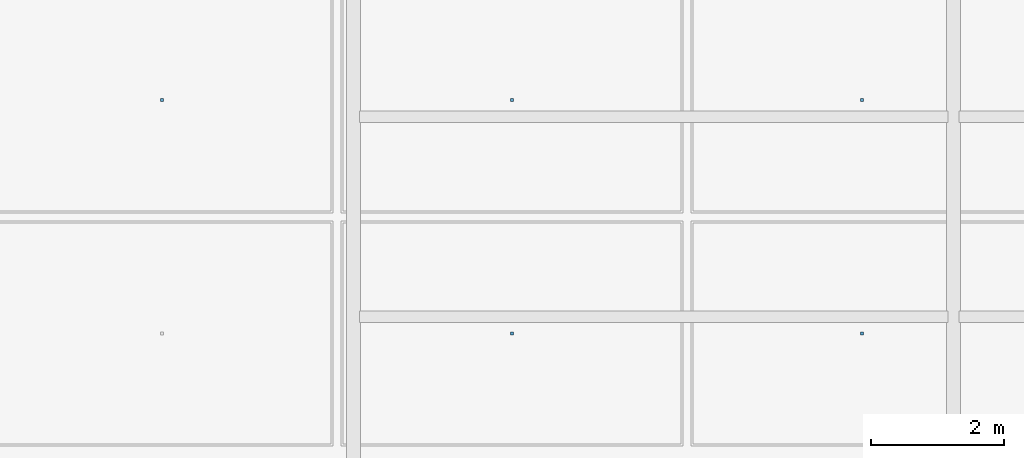
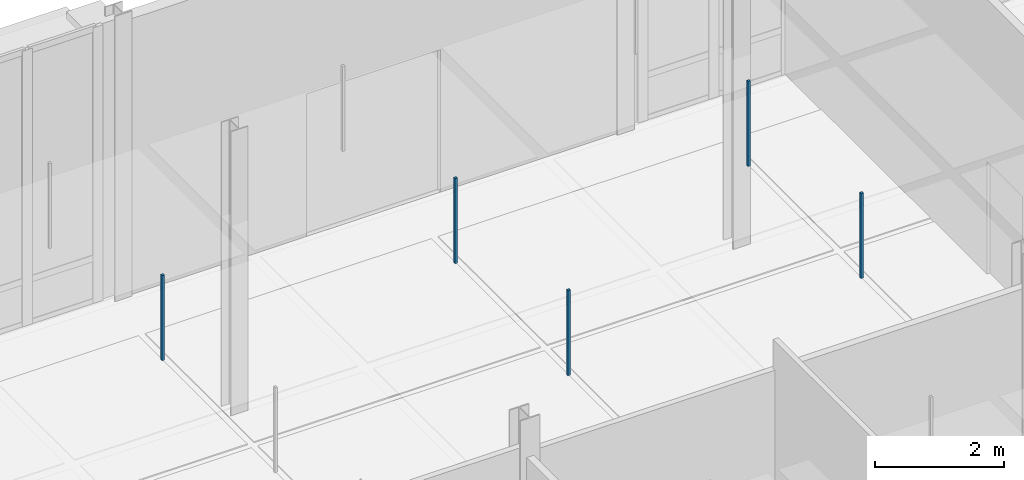
# One storey, part 139 of 180: 5 discrete accessories.
"""IFC4 building model written with IfcOpenShell, lengths in metres."""

import ifcopenshell
import ifcopenshell.guid

model = None  # the IFC model being written
_history = None  # IfcOwnerHistory: only IFC2X3 demands one
_inside = {}  # id of a spatial element -> (the spatial element, [elements in it])
_under = {}  # id of a project, library or spatial element -> (it, [spatial elements below it])
_declared = {}  # id of a project -> (the project, [libraries it declares])
_typed = {}  # id of a type object -> (the type object, [elements of that type])
_made_of = {}  # id of a material, layer set ... -> (it, [elements and type objects made of it])


def new_model(schema):
    """Start an empty IFC model of exactly this schema.

    Asked for "IFC4X3", IfcOpenShell would pick the latest addendum, in which some entities
    have other attributes; the version numbers below select the first issue.
    IFC2X3 requires an IfcOwnerHistory on every rooted entity: one is made here for all.
    """
    global model, _history
    if schema == "IFC4X3":
        model = ifcopenshell.file(schema_version=(4, 3, 0, 0))
    else:
        model = ifcopenshell.file(schema=schema)
    _inside.clear()
    _under.clear()
    _declared.clear()
    _typed.clear()
    _made_of.clear()
    _history = None
    if model.schema == "IFC2X3":
        org = make("IfcOrganization", Name="unknown")
        user = make(
            "IfcPersonAndOrganization",
            ThePerson=make("IfcPerson", FamilyName="unknown"),
            TheOrganization=org,
        )
        app = make(
            "IfcApplication",
            ApplicationDeveloper=org,
            Version="unknown",
            ApplicationFullName="unknown",
            ApplicationIdentifier="unknown",
        )
        _history = make(
            "IfcOwnerHistory",
            OwningUser=user,
            OwningApplication=app,
            ChangeAction="ADDED",
            CreationDate=0,
        )
    return model


def make(cls, **values):
    """One entity of the class cls with the attributes given. An attribute that is None is left unset."""
    return model.create_entity(
        cls, **{name: value for name, value in values.items() if value is not None}
    )


def rooted(cls, **values):
    """An entity with a GlobalId (a new one), such as an element, a storey or a relation."""
    return make(cls, GlobalId=ifcopenshell.guid.new(), OwnerHistory=_history, **values)


def si_unit(unit_type, name, prefix=None):
    """IfcSIUnit, for example si_unit("LENGTHUNIT", "METRE", prefix="MILLI")."""
    return make("IfcSIUnit", UnitType=unit_type, Prefix=prefix, Name=name)


def assignment(units):
    """IfcUnitAssignment: the units of a project."""
    return None if units is None else make("IfcUnitAssignment", Units=units)


def point(xyz):
    """IfcCartesianPoint."""
    return None if xyz is None else make("IfcCartesianPoint", Coordinates=xyz)


def direction(xyz):
    """IfcDirection."""
    return None if xyz is None else make("IfcDirection", DirectionRatios=xyz)


def frame(location, z_axis=None, x_axis=None):
    """IfcAxis2Placement3D, a coordinate frame: its origin and axes. An axis left out is left unset."""
    return make(
        "IfcAxis2Placement3D",
        Location=point(location),
        Axis=direction(z_axis),
        RefDirection=direction(x_axis),
    )


def frame_2d(location, x_axis=None):
    """IfcAxis2Placement2D, a coordinate frame in the plane: its origin and x axis."""
    return make(
        "IfcAxis2Placement2D", Location=point(location), RefDirection=direction(x_axis)
    )


def origin():
    """The frame at (0, 0, 0) with its axes left unset."""
    return frame((0.0, 0.0, 0.0))


def origin_2d():
    """The frame at (0, 0) in the plane with its x axis left unset."""
    return frame_2d((0.0, 0.0))


def place(relative_to, where):
    """IfcLocalPlacement: puts the frame where relative to a parent placement (None: the world)."""
    return make(
        "IfcLocalPlacement", PlacementRelTo=relative_to, RelativePlacement=where
    )


def context(
    kind, dimensions, precision=None, world=None, true_north=None, identifier=None
):
    """IfcGeometricRepresentationContext, for example the 3D "Model" context."""
    return make(
        "IfcGeometricRepresentationContext",
        ContextIdentifier=identifier,
        ContextType=kind,
        CoordinateSpaceDimension=dimensions,
        Precision=precision,
        WorldCoordinateSystem=world,
        TrueNorth=true_north,
    )


def subcontext(parent, identifier, kind, view, scale=None):
    """IfcGeometricRepresentationSubContext, for example "Body" below "Model"."""
    return make(
        "IfcGeometricRepresentationSubContext",
        ContextIdentifier=identifier,
        ContextType=kind,
        ParentContext=parent,
        TargetScale=scale,
        TargetView=view,
    )


def project(units=None, contexts=None):
    """IfcProject with its units and contexts."""
    return rooted(
        "IfcProject",
        Name="project",
        RepresentationContexts=contexts,
        UnitsInContext=assignment(units),
    )


def spatial(cls, under=None, at=None, **own):
    """A site, building, storey or space (cls), placed at a placement, below another one or the project."""
    s = rooted(cls, ObjectPlacement=at, **own)
    if under is not None:
        _under.setdefault(under.id(), (under, []))[1].append(s)
    return s


def profile(cls, at=None, kind="AREA", **sizes):
    """A parametric profile (cls). Its sizes go by their IFC names, for example OverallWidth=200.0."""
    return make(cls, ProfileType=kind, Position=at, **sizes)


def rectangle(**sizes):
    """IfcRectangleProfileDef."""
    return profile("IfcRectangleProfileDef", **sizes)


def extrude(swept, where, along, depth):
    """IfcExtrudedAreaSolid: the profile swept, set in the frame where, extruded along a direction by depth."""
    return make(
        "IfcExtrudedAreaSolid",
        SweptArea=swept,
        Position=where,
        ExtrudedDirection=direction(along),
        Depth=depth,
    )


def shape(context_of_items, identifier, shape_type, items):
    """IfcShapeRepresentation: the items that make up one representation, for example the "Body"."""
    return make(
        "IfcShapeRepresentation",
        ContextOfItems=context_of_items,
        RepresentationIdentifier=identifier,
        RepresentationType=shape_type,
        Items=items,
    )


def material(Name=None, Category=None):
    """IfcMaterial."""
    return make("IfcMaterial", Name=Name, Category=Category)


def made_of(thing, what):
    """Note that an element or type object is made of a material, layer set ...; save() writes the relation."""
    if what is not None:
        _made_of.setdefault(what.id(), (what, []))[1].append(thing)
    return thing


def type_object(cls, material=None, **own):
    """A type object (cls), such as IfcWallType, which elements share."""
    return made_of(rooted(cls, **own), material)


def element(
    cls,
    number,
    at=None,
    inside=None,
    cuts=None,
    type_object=None,
    material=None,
    context=None,
    identifier="Body",
    shape_type=None,
    held_by="IfcProductDefinitionShape",
    body=None,
    shapes=None,
    **own,
):
    """One element of the class cls, such as IfcWall. Its Tag is "e" and its number.

    at: its placement. inside: the storey or other place that contains it. cuts: it is an
    opening in that element (IfcRelVoidsElement). A single representation is given by context,
    identifier, shape_type and body (its items); several are given by shapes. held_by: the class
    of the entity that holds the representations. save() writes the other relations.
    """
    e = rooted(cls, Tag="e%d" % number, ObjectPlacement=at, **own)
    if body is not None:
        shapes = [shape(context, identifier, shape_type, body)]
    if shapes is not None:
        e.Representation = make(held_by, Representations=shapes)
    if inside is not None:
        _inside.setdefault(inside.id(), (inside, []))[1].append(e)
    if cuts is not None:
        rooted(
            "IfcRelVoidsElement", RelatingBuildingElement=cuts, RelatedOpeningElement=e
        )
    if type_object is not None:
        _typed.setdefault(type_object.id(), (type_object, []))[1].append(e)
    return made_of(e, material)


def aggregate(whole, parts):
    """IfcRelAggregates: a whole, such as a stair, and the parts it consists of."""
    return rooted("IfcRelAggregates", RelatingObject=whole, RelatedObjects=parts)


def save(model, path):
    """Write the relations noted so far, then the file.

    IfcRelAggregates (storeys below a building ...), IfcRelContainedInSpatialStructure (elements
    in a storey), IfcRelDefinesByType, IfcRelAssociatesMaterial and IfcRelDeclares: one each for
    every whole, place, type object, material and project.
    """
    for whole, parts in _under.values():
        aggregate(whole, parts)
    for where, things in _inside.values():
        rooted(
            "IfcRelContainedInSpatialStructure",
            RelatedElements=things,
            RelatingStructure=where,
        )
    for kind, things in _typed.values():
        rooted("IfcRelDefinesByType", RelatedObjects=things, RelatingType=kind)
    for what, things in _made_of.values():
        rooted("IfcRelAssociatesMaterial", RelatedObjects=things, RelatingMaterial=what)
    for by, libraries in _declared.values():
        rooted("IfcRelDeclares", RelatingContext=by, RelatedDefinitions=libraries)
    model.write(path)


model = new_model("IFC4")

# Units and contexts
model_context = context("Model", 3, precision=1e-05, world=origin(), true_north=direction((0.0, 1.0)))
body_context = subcontext(model_context, "Body", "Model", "MODEL_VIEW")
ifc_project = project(units=[si_unit("LENGTHUNIT", "METRE"), si_unit("AREAUNIT", "SQUARE_METRE"), si_unit("VOLUMEUNIT", "CUBIC_METRE"), si_unit("PLANEANGLEUNIT", "RADIAN"), si_unit("MASSUNIT", "GRAM", prefix="KILO"), si_unit("THERMODYNAMICTEMPERATUREUNIT", "KELVIN"), si_unit("POWERUNIT", "WATT")], contexts=[model_context])

# Site, building, storey
site_placement = place(None, origin())
site = spatial("IfcSite", under=ifc_project, at=site_placement, CompositionType="ELEMENT")
building_placement = place(site_placement, origin())
building = spatial("IfcBuilding", under=site, at=building_placement, Name="Tallowbark Science Centre", CompositionType="ELEMENT")
storey_placement = place(building_placement, origin())
storey = spatial("IfcBuildingStorey", under=building, at=storey_placement, Name="L00", CompositionType="ELEMENT", Elevation=0.0)

# Discrete accessories
ifc_material = material(Name="Galvanised Steel Grade C350L0 (350 MPa)", Category="steel")
discrete_accessory_type = type_object("IfcDiscreteAccessoryType", Name="ACC-CLG-HNG", PredefinedType="BRACKET", material=ifc_material)
for number, where, z_axis, x_axis, name in (
    (1, (69.125, 105.25, 3.609375), (0.0, 0.0, 1.0), (1.0, 0.0, 0.0), "Ceiling Hanger Bracket L00-404"),
    (2, (74.375, 101.75, 3.609375), (0.0, 0.0, 1.0), (1.0, 0.0, 0.0), "Ceiling Hanger Bracket L00-406"),
    (3, (74.375, 105.25, 3.609375), (0.0, 0.0, 1.0), (1.0, 0.0, 0.0), "Ceiling Hanger Bracket L00-407"),
    (4, (79.625, 101.75, 3.609375), (0.0, 0.0, 1.0), (1.0, 0.0, 0.0), "Ceiling Hanger Bracket L00-409"),
    (5, (79.625, 105.25, 3.609375), (0.0, 0.0, 1.0), (1.0, 0.0, 0.0), "Ceiling Hanger Bracket L00-410"),
):
    element("IfcDiscreteAccessory", number, at=place(storey_placement, frame(where, z_axis=z_axis, x_axis=x_axis)), inside=storey, type_object=discrete_accessory_type, Name=name, PredefinedType="BRACKET", context=body_context, shape_type="SweptSolid", body=[
        extrude(rectangle(XDim=0.044921875, YDim=0.044921875, at=origin_2d()), origin(), (0.0, 0.0, 1.0), 1.613525390625),
    ])

save(model, "model.ifc")
